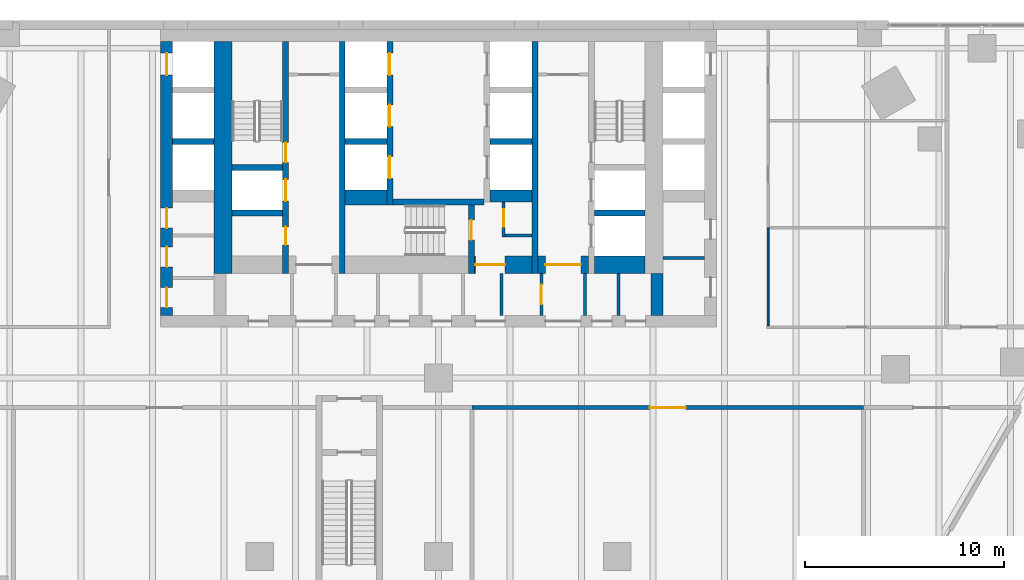
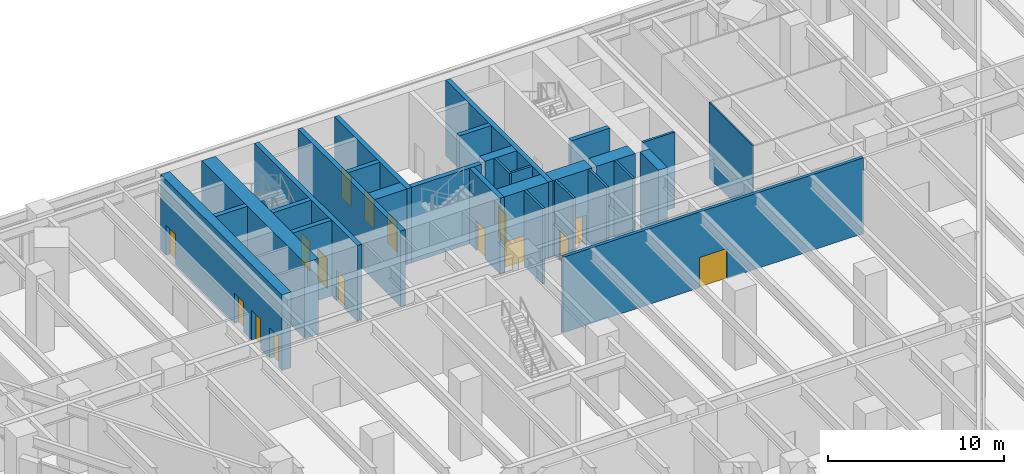
# One storey, part 23 of 30: 29 walls, 16 doors, 16 openings.
"""IFC4 building model written with IfcOpenShell, lengths in metres."""

from ifc_helpers import new_model, si_unit, direction, frame, frame_2d, origin, place, context, subcontext, project, spatial, rectangle, extrude, material, layer, layer_set, type_object, element, fill, save


model = new_model("IFC4")

# Units and contexts
model_context = context("Model", 3, precision=1e-05, world=origin(), true_north=direction((0.0, 1.0)))
body_context = subcontext(model_context, "Body", "Model", "MODEL_VIEW")
ifc_project = project(units=[si_unit("LENGTHUNIT", "METRE"), si_unit("AREAUNIT", "SQUARE_METRE"), si_unit("VOLUMEUNIT", "CUBIC_METRE"), si_unit("PLANEANGLEUNIT", "RADIAN"), si_unit("MASSUNIT", "GRAM", prefix="KILO")], contexts=[model_context])

# Site, building, storey
site_placement = place(None, origin())
site = spatial("IfcSite", under=ifc_project, at=site_placement, CompositionType="ELEMENT")
building_placement = place(site_placement, origin())
building = spatial("IfcBuilding", under=site, at=building_placement, Name="Aloe Facet Convention Tower", CompositionType="ELEMENT")
storey_placement = place(building_placement, frame((0.0, 0.0, 19.5)))
storey = spatial("IfcBuildingStorey", under=building, at=storey_placement, Name="L03", CompositionType="ELEMENT", Elevation=19.5)

# Wall
ifc_material_1 = material(Name="Concrete blockwork partition", Category="masonry")
ifc_layer_1 = layer(ifc_material_1, 0.14990234375)
ifc_layer_set_1 = layer_set([ifc_layer_1], Name="CR-W-PART150")
wall_type_1 = type_object("IfcWallType", Name="CR-W-PART150", PredefinedType="PARTITIONING", material=ifc_layer_set_1)
wall_1_placement = place(storey_placement, frame((83.175048828125, 122.25, 0.0), z_axis=(0.0, 0.0, 1.0), x_axis=(0.0, -1.0, 0.0)))
element("IfcWall", 1, at=wall_1_placement, inside=storey, type_object=wall_type_1, Name="Core partition L03-035", PredefinedType="PARTITIONING", context=body_context, shape_type="SweptSolid", body=[
    extrude(rectangle(XDim=2.10009765625, YDim=0.14990234375, at=frame_2d((1.050048828125, 0.0))), origin(), (0.0, 0.0, 1.0), 5.25),
])

# Wall, opening, door
wall_2_placement = place(storey_placement, frame((83.27490234375, 125.85009765625, 0.0), z_axis=(0.0, 0.0, 1.0), x_axis=(0.0, -1.0, 0.0)))
wall_2 = element("IfcWall", 2, at=wall_2_placement, inside=storey, type_object=wall_type_1, Name="Core partition L03-036", PredefinedType="PARTITIONING", context=body_context, shape_type="SweptSolid", body=[
    extrude(rectangle(XDim=1.75, YDim=0.14990234375, at=frame_2d((0.875, 0.0))), origin(), (0.0, 0.0, 1.0), 5.25),
])
opening_1_placement = place(wall_2_placement, frame((0.35009765625, 0.0, 0.0)))
opening_1 = element("IfcOpeningElement", 3, at=opening_1_placement, cuts=wall_2, Name="Opening L03-CD19", PredefinedType="OPENING", context=body_context, shape_type="SweptSolid", body=[
    extrude(rectangle(XDim=0.89990234375, YDim=2.10009765625, at=frame_2d((0.449951171875, 1.050048828125))), frame((0.0, 0.0849609375, 0.0), z_axis=(0.0, -1.0, 0.0), x_axis=(1.0, 0.0, 0.0)), (0.0, 0.0, 1.0), 0.169921875),
])
ifc_material_2 = material(Name="Steel fire-resisting door set FD60", Category="steel")
door_type_1 = type_object("IfcDoorType", Name="CR-D-REFUGE-900-FD60-SRIGHT", OperationType="SINGLE_SWING_RIGHT", PredefinedType="DOOR", material=ifc_material_2)
door_1_placement = place(opening_1_placement, origin())
door_1 = element("IfcDoor", 4, at=door_1_placement, inside=storey, type_object=door_type_1, Name="Core door L03-CD19", OperationType="SINGLE_SWING_RIGHT", OverallHeight=2.10009765625, OverallWidth=0.89990234375, PredefinedType="DOOR", context=body_context, shape_type="SweptSolid", body=[
    extrude(rectangle(XDim=0.89990234375, YDim=2.10009765625, at=frame_2d((0.449951171875, 1.050048828125))), frame((0.0, 0.02490234375, 0.0), z_axis=(0.0, -1.0, 0.0), x_axis=(1.0, 0.0, 0.0)), (0.0, 0.0, 1.0), 0.050048828125),
])
fill(opening_1, door_1)

# Wall
wall_3_placement = place(storey_placement, frame((83.35009765625, 124.175048828125, 0.0), z_axis=(0.0, 0.0, 1.0), x_axis=(1.0, 0.0, 0.0)))
element("IfcWall", 5, at=wall_3_placement, inside=storey, type_object=wall_type_1, Name="Core partition L03-037", PredefinedType="PARTITIONING", context=body_context, shape_type="SweptSolid", body=[
    extrude(rectangle(XDim=1.349853515625, YDim=0.14990234375, at=frame_2d((0.6748046875, 0.0))), origin(), (0.0, 0.0, 1.0), 5.25),
])

# Wall, opening, door
wall_4_placement = place(storey_placement, frame((85.175048828125, 122.25, 0.0), z_axis=(0.0, 0.0, 1.0), x_axis=(0.0, -1.0, 0.0)))
wall_4 = element("IfcWall", 6, at=wall_4_placement, inside=storey, type_object=wall_type_1, Name="Core partition L03-041", PredefinedType="PARTITIONING", context=body_context, shape_type="SweptSolid", body=[
    extrude(rectangle(XDim=2.10009765625, YDim=0.14990234375, at=frame_2d((1.050048828125, 0.0))), origin(), (0.0, 0.0, 1.0), 5.25),
])
opening_2_placement = place(wall_4_placement, frame((0.550048828125, 0.0, 0.0)))
opening_2 = element("IfcOpeningElement", 7, at=opening_2_placement, cuts=wall_4, Name="Opening L03-CD27", PredefinedType="OPENING", context=body_context, shape_type="SweptSolid", body=[
    extrude(rectangle(XDim=1.0, YDim=2.10009765625, at=frame_2d((0.5, 1.050048828125))), frame((0.0, 0.0849609375, 0.0), z_axis=(0.0, -1.0, 0.0), x_axis=(1.0, 0.0, 0.0)), (0.0, 0.0, 1.0), 0.169921875),
])
ifc_material_3 = material(Name="Steel fire-resisting door set FD60", Category="steel")
door_type_2 = type_object("IfcDoorType", Name="CR-D-ROOM-1000-FD60-SRIGHT", OperationType="SINGLE_SWING_RIGHT", PredefinedType="DOOR", material=ifc_material_3)
door_2_placement = place(opening_2_placement, origin())
door_2 = element("IfcDoor", 8, at=door_2_placement, inside=storey, type_object=door_type_2, Name="Core door L03-CD27", OperationType="SINGLE_SWING_RIGHT", OverallHeight=2.10009765625, OverallWidth=1.0, PredefinedType="DOOR", context=body_context, shape_type="SweptSolid", body=[
    extrude(rectangle(XDim=1.0, YDim=2.10009765625, at=frame_2d((0.5, 1.050048828125))), frame((0.0, 0.02490234375, 0.0), z_axis=(0.0, -1.0, 0.0), x_axis=(1.0, 0.0, 0.0)), (0.0, 0.0, 1.0), 0.050048828125),
])
fill(opening_2, door_2)

# Walls
for number, where, z_axis, x_axis, name in (
    (9, (87.375, 122.25, 0.0), (0.0, 0.0, 1.0), (0.0, -1.0, 0.0), "Core partition L03-042"),
    (10, (89.074951171875, 122.25, 0.0), (0.0, 0.0, 1.0), (0.0, -1.0, 0.0), "Core partition L03-047"),
):
    element("IfcWall", number, at=place(storey_placement, frame(where, z_axis=z_axis, x_axis=x_axis)), inside=storey, type_object=wall_type_1, Name=name, PredefinedType="PARTITIONING", context=body_context, shape_type="SweptSolid", body=[
        extrude(rectangle(XDim=2.10009765625, YDim=0.14990234375, at=frame_2d((1.050048828125, 0.0))), origin(), (0.0, 0.0, 1.0), 5.25),
    ])
wall_5_placement = place(storey_placement, frame((91.300048828125, 123.048583984375, 0.0), z_axis=(0.0, 0.0, 1.0), x_axis=(1.0, 0.0, 0.0)))
element("IfcWall", 11, at=wall_5_placement, inside=storey, type_object=wall_type_1, Name="Core partition L03-053", PredefinedType="PARTITIONING", context=body_context, shape_type="SweptSolid", body=[
    extrude(rectangle(XDim=2.099853515625, YDim=0.14990234375, at=frame_2d((1.0498046875, 0.0))), origin(), (0.0, 0.0, 1.0), 5.25),
])
ifc_material_4 = material(Name="Concrete C80/95", Category="concrete")
ifc_layer_2 = layer(ifc_material_4, 0.300048828125)
ifc_layer_set_2 = layer_set([ifc_layer_2], Name="CR-W-RC300-C8095")
wall_type_2 = type_object("IfcWallType", Name="CR-W-RC300-C8095", PredefinedType="SOLIDWALL", material=ifc_layer_set_2)
wall_6_placement = place(storey_placement, frame((66.60009765625, 128.89990234375, 0.0), z_axis=(0.0, 0.0, 1.0), x_axis=(1.0, 0.0, 0.0)))
element("IfcWall", 12, at=wall_6_placement, inside=storey, type_object=wall_type_2, Name="Core wall L03-005", PredefinedType="SOLIDWALL", context=body_context, shape_type="SweptSolid", body=[
    extrude(rectangle(XDim=2.099853515625, YDim=0.300048828125, at=frame_2d((1.0498046875, 0.0))), origin(), (0.0, 0.0, 1.0), 5.25),
])
for number, where, z_axis, x_axis, name in (
    (13, (69.60009765625, 127.60009765625, 0.0), (0.0, 0.0, 1.0), (1.0, 0.0, 0.0), "Core wall L03-011"),
    (14, (69.60009765625, 125.300048828125, 0.0), (0.0, 0.0, 1.0), (1.0, 0.0, 0.0), "Core wall L03-012"),
):
    element("IfcWall", number, at=place(storey_placement, frame(where, z_axis=z_axis, x_axis=x_axis)), inside=storey, type_object=wall_type_2, Name=name, PredefinedType="SOLIDWALL", context=body_context, shape_type="SweptSolid", body=[
        extrude(rectangle(XDim=2.5498046875, YDim=0.300048828125, at=frame_2d((1.27490234375, 0.0))), origin(), (0.0, 0.0, 1.0), 5.25),
    ])

# Wall, openings, doors
wall_7_placement = place(storey_placement, frame((72.300048828125, 133.949951171875, 0.0), z_axis=(0.0, 0.0, 1.0), x_axis=(0.0, -1.0, 0.0)))
wall_7 = element("IfcWall", 15, at=wall_7_placement, inside=storey, type_object=wall_type_2, Name="Core wall L03-014", PredefinedType="SOLIDWALL", context=body_context, shape_type="SweptSolid", body=[
    extrude(rectangle(XDim=11.699951171875, YDim=0.300048828125, at=frame_2d((5.85009765625, 0.0))), origin(), (0.0, 0.0, 1.0), 5.25),
])
opening_3_placement = place(wall_7_placement, frame((6.949951171875, 0.0, 0.0)))
opening_3 = element("IfcOpeningElement", 16, at=opening_3_placement, cuts=wall_7, Name="Opening LD-FF1-L03", PredefinedType="OPENING", context=body_context, shape_type="SweptSolid", body=[
    extrude(rectangle(XDim=1.10009765625, YDim=2.10009765625, at=frame_2d((0.550048828125, 1.050048828125))), frame((0.0, 0.16015625, 0.0), z_axis=(0.0, -1.0, 0.0), x_axis=(1.0, 0.0, 0.0)), (0.0, 0.0, 1.0), 0.320068359375),
])
opening_4_placement = place(wall_7_placement, frame((9.35009765625, 0.0, 0.0)))
opening_4 = element("IfcOpeningElement", 17, at=opening_4_placement, cuts=wall_7, Name="Opening L03-CD22", PredefinedType="OPENING", context=body_context, shape_type="SweptSolid", body=[
    extrude(rectangle(XDim=0.89990234375, YDim=2.10009765625, at=frame_2d((0.449951171875, 1.050048828125))), frame((0.0, 0.16015625, 0.0), z_axis=(0.0, -1.0, 0.0), x_axis=(1.0, 0.0, 0.0)), (0.0, 0.0, 1.0), 0.320068359375),
])
opening_5_placement = place(wall_7_placement, frame((5.10009765625, 0.0, 0.0)))
opening_5 = element("IfcOpeningElement", 18, at=opening_5_placement, cuts=wall_7, Name="Opening L03-CD30", PredefinedType="OPENING", context=body_context, shape_type="SweptSolid", body=[
    extrude(rectangle(XDim=1.0, YDim=2.10009765625, at=frame_2d((0.5, 1.050048828125))), frame((0.0, 0.16015625, 0.0), z_axis=(0.0, -1.0, 0.0), x_axis=(1.0, 0.0, 0.0)), (0.0, 0.0, 1.0), 0.320068359375),
])
ifc_material_5 = material(Name="Steel fire-resisting door set FD60", Category="steel")
door_type_3 = type_object("IfcDoorType", Name="CR-D-ROOM-900-FD60-SLEFT", OperationType="SINGLE_SWING_LEFT", PredefinedType="DOOR", material=ifc_material_5)
door_3_placement = place(opening_4_placement, origin())
door_3 = element("IfcDoor", 19, at=door_3_placement, inside=storey, type_object=door_type_3, Name="Core door L03-CD22", OperationType="SINGLE_SWING_LEFT", OverallHeight=2.10009765625, OverallWidth=0.89990234375, PredefinedType="DOOR", context=body_context, shape_type="SweptSolid", body=[
    extrude(rectangle(XDim=0.89990234375, YDim=2.10009765625, at=frame_2d((0.449951171875, 1.050048828125))), frame((0.0, 0.02490234375, 0.0), z_axis=(0.0, -1.0, 0.0), x_axis=(1.0, 0.0, 0.0)), (0.0, 0.0, 1.0), 0.050048828125),
])
fill(opening_4, door_3)
ifc_material_6 = material(Name="Steel fire-resisting door set FD120", Category="steel")
door_type_4 = type_object("IfcDoorType", Name="CR-D-STAIR-1000-FD120-SRIGHT", OperationType="SINGLE_SWING_RIGHT", PredefinedType="DOOR", material=ifc_material_6)
door_4_placement = place(opening_5_placement, origin())
door_4 = element("IfcDoor", 20, at=door_4_placement, inside=storey, type_object=door_type_4, Name="Core door L03-CD30", OperationType="SINGLE_SWING_RIGHT", OverallHeight=2.10009765625, OverallWidth=1.0, PredefinedType="DOOR", context=body_context, shape_type="SweptSolid", body=[
    extrude(rectangle(XDim=1.0, YDim=2.10009765625, at=frame_2d((0.5, 1.050048828125))), frame((0.0, 0.02490234375, 0.0), z_axis=(0.0, -1.0, 0.0), x_axis=(1.0, 0.0, 0.0)), (0.0, 0.0, 1.0), 0.050048828125),
])
fill(opening_5, door_4)
ifc_material_7 = material(Name="Stainless steel sliding landing door", Category="steel")
door_type_5 = type_object("IfcDoorType", Name="CR-LD-1100-FD120-_LEFT", OperationType="SLIDING_TO_LEFT", PredefinedType="DOOR", material=ifc_material_7)
door_5_placement = place(opening_3_placement, origin())
door_5 = element("IfcDoor", 21, at=door_5_placement, inside=storey, type_object=door_type_5, Name="Landing door FF1 L03", OperationType="SLIDING_TO_LEFT", OverallHeight=2.10009765625, OverallWidth=1.10009765625, PredefinedType="DOOR", context=body_context, shape_type="SweptSolid", body=[
    extrude(rectangle(XDim=1.10009765625, YDim=2.10009765625, at=frame_2d((0.550048828125, 1.050048828125))), frame((0.0, 0.02490234375, 0.0), z_axis=(0.0, -1.0, 0.0), x_axis=(1.0, 0.0, 0.0)), (0.0, 0.0, 1.0), 0.050048828125),
])
fill(opening_3, door_5)

# Walls
wall_8_placement = place(storey_placement, frame((75.14990234375, 133.949951171875, 0.0), z_axis=(0.0, 0.0, 1.0), x_axis=(0.0, -1.0, 0.0)))
element("IfcWall", 22, at=wall_8_placement, inside=storey, type_object=wall_type_2, Name="Core wall L03-019", PredefinedType="SOLIDWALL", context=body_context, shape_type="SweptSolid", body=[
    extrude(rectangle(XDim=11.699951171875, YDim=0.300048828125, at=frame_2d((5.85009765625, 0.0))), origin(), (0.0, 0.0, 1.0), 5.25),
])
wall_9_placement = place(storey_placement, frame((75.300048828125, 128.89990234375, 0.0), z_axis=(0.0, 0.0, 1.0), x_axis=(1.0, 0.0, 0.0)))
element("IfcWall", 23, at=wall_9_placement, inside=storey, type_object=wall_type_2, Name="Core wall L03-021", PredefinedType="SOLIDWALL", context=body_context, shape_type="SweptSolid", body=[
    extrude(rectangle(XDim=2.099853515625, YDim=0.300048828125, at=frame_2d((1.0498046875, 0.0))), origin(), (0.0, 0.0, 1.0), 5.25),
])

# Wall, openings, doors
wall_10_placement = place(storey_placement, frame((77.550048828125, 133.949951171875, 0.0), z_axis=(0.0, 0.0, 1.0), x_axis=(0.0, -1.0, 0.0)))
wall_10 = element("IfcWall", 24, at=wall_10_placement, inside=storey, type_object=wall_type_2, Name="Core wall L03-025", PredefinedType="SOLIDWALL", context=body_context, shape_type="SweptSolid", body=[
    extrude(rectangle(XDim=8.25, YDim=0.300048828125, at=frame_2d((4.125, 0.0))), origin(), (0.0, 0.0, 1.0), 5.25),
])
opening_6_placement = place(wall_10_placement, frame((0.60009765625, 0.0, 0.0)))
opening_6 = element("IfcOpeningElement", 25, at=opening_6_placement, cuts=wall_10, Name="Opening LD-A1-L03", PredefinedType="OPENING", context=body_context, shape_type="SweptSolid", body=[
    extrude(rectangle(XDim=1.10009765625, YDim=2.10009765625, at=frame_2d((0.550048828125, 1.050048828125))), frame((0.0, 0.16015625, 0.0), z_axis=(0.0, -1.0, 0.0), x_axis=(1.0, 0.0, 0.0)), (0.0, 0.0, 1.0), 0.320068359375),
])
opening_7_placement = place(wall_10_placement, frame((3.199951171875, 0.0, 0.0)))
opening_7 = element("IfcOpeningElement", 26, at=opening_7_placement, cuts=wall_10, Name="Opening LD-A2-L03", PredefinedType="OPENING", context=body_context, shape_type="SweptSolid", body=[
    extrude(rectangle(XDim=1.10009765625, YDim=2.10009765625, at=frame_2d((0.550048828125, 1.050048828125))), frame((0.0, 0.16015625, 0.0), z_axis=(0.0, -1.0, 0.0), x_axis=(1.0, 0.0, 0.0)), (0.0, 0.0, 1.0), 0.320068359375),
])
opening_8_placement = place(wall_10_placement, frame((5.800048828125, 0.0, 0.0)))
opening_8 = element("IfcOpeningElement", 27, at=opening_8_placement, cuts=wall_10, Name="Opening LD-A3-L03", PredefinedType="OPENING", context=body_context, shape_type="SweptSolid", body=[
    extrude(rectangle(XDim=1.10009765625, YDim=2.10009765625, at=frame_2d((0.550048828125, 1.050048828125))), frame((0.0, 0.16015625, 0.0), z_axis=(0.0, -1.0, 0.0), x_axis=(1.0, 0.0, 0.0)), (0.0, 0.0, 1.0), 0.320068359375),
])
ifc_material_8 = material(Name="Stainless steel sliding landing door", Category="steel")
door_type_6 = type_object("IfcDoorType", Name="CR-LD-1100-FD60-RIGHT", OperationType="SLIDING_TO_RIGHT", PredefinedType="DOOR", material=ifc_material_8)
door_6_placement = place(opening_6_placement, origin())
door_6 = element("IfcDoor", 28, at=door_6_placement, inside=storey, type_object=door_type_6, Name="Landing door A1 L03", OperationType="SLIDING_TO_RIGHT", OverallHeight=2.10009765625, OverallWidth=1.10009765625, PredefinedType="DOOR", context=body_context, shape_type="SweptSolid", body=[
    extrude(rectangle(XDim=1.10009765625, YDim=2.10009765625, at=frame_2d((0.550048828125, 1.050048828125))), frame((0.0, 0.02490234375, 0.0), z_axis=(0.0, -1.0, 0.0), x_axis=(1.0, 0.0, 0.0)), (0.0, 0.0, 1.0), 0.050048828125),
])
fill(opening_6, door_6)
door_7_placement = place(opening_7_placement, origin())
door_7 = element("IfcDoor", 29, at=door_7_placement, inside=storey, type_object=door_type_6, Name="Landing door A2 L03", OperationType="SLIDING_TO_RIGHT", OverallHeight=2.10009765625, OverallWidth=1.10009765625, PredefinedType="DOOR", context=body_context, shape_type="SweptSolid", body=[
    extrude(rectangle(XDim=1.10009765625, YDim=2.10009765625, at=frame_2d((0.550048828125, 1.050048828125))), frame((0.0, 0.02490234375, 0.0), z_axis=(0.0, -1.0, 0.0), x_axis=(1.0, 0.0, 0.0)), (0.0, 0.0, 1.0), 0.050048828125),
])
fill(opening_7, door_7)
door_8_placement = place(opening_8_placement, origin())
door_8 = element("IfcDoor", 30, at=door_8_placement, inside=storey, type_object=door_type_6, Name="Landing door A3 L03", OperationType="SLIDING_TO_RIGHT", OverallHeight=2.10009765625, OverallWidth=1.10009765625, PredefinedType="DOOR", context=body_context, shape_type="SweptSolid", body=[
    extrude(rectangle(XDim=1.10009765625, YDim=2.10009765625, at=frame_2d((0.550048828125, 1.050048828125))), frame((0.0, 0.02490234375, 0.0), z_axis=(0.0, -1.0, 0.0), x_axis=(1.0, 0.0, 0.0)), (0.0, 0.0, 1.0), 0.050048828125),
])
fill(opening_8, door_8)

# Wall
wall_11_placement = place(storey_placement, frame((77.699951171875, 125.85009765625, 0.0), z_axis=(0.0, 0.0, 1.0), x_axis=(1.0, 0.0, 0.0)))
element("IfcWall", 31, at=wall_11_placement, inside=storey, type_object=wall_type_2, Name="Core wall L03-026", PredefinedType="SOLIDWALL", context=body_context, shape_type="SweptSolid", body=[
    extrude(rectangle(XDim=4.60009765625, YDim=0.300048828125, at=frame_2d((2.300048828125, 0.0))), origin(), (0.0, 0.0, 1.0), 5.25),
])

# Wall, opening, door
wall_12_placement = place(storey_placement, frame((81.64990234375, 125.699951171875, 0.0), z_axis=(0.0, 0.0, 1.0), x_axis=(0.0, -1.0, 0.0)))
wall_12 = element("IfcWall", 32, at=wall_12_placement, inside=storey, type_object=wall_type_2, Name="Core wall L03-029", PredefinedType="SOLIDWALL", context=body_context, shape_type="SweptSolid", body=[
    extrude(rectangle(XDim=3.449951171875, YDim=0.300048828125, at=frame_2d((1.72509765625, 0.0))), origin(), (0.0, 0.0, 1.0), 5.25),
])
opening_9_placement = place(wall_12_placement, frame((0.75, 0.0, 0.0)))
opening_9 = element("IfcOpeningElement", 33, at=opening_9_placement, cuts=wall_12, Name="Opening L03-CD32", PredefinedType="OPENING", context=body_context, shape_type="SweptSolid", body=[
    extrude(rectangle(XDim=1.0, YDim=2.10009765625, at=frame_2d((0.5, 1.050048828125))), frame((0.0, 0.16015625, 0.0), z_axis=(0.0, -1.0, 0.0), x_axis=(1.0, 0.0, 0.0)), (0.0, 0.0, 1.0), 0.320068359375),
])
ifc_material_9 = material(Name="Steel fire-resisting door set FD120", Category="steel")
door_type_7 = type_object("IfcDoorType", Name="CR-D-STAIR-1000-FD120-SLEFT", OperationType="SINGLE_SWING_LEFT", PredefinedType="DOOR", material=ifc_material_9)
door_9_placement = place(opening_9_placement, origin())
door_9 = element("IfcDoor", 34, at=door_9_placement, inside=storey, type_object=door_type_7, Name="Core door L03-CD32", OperationType="SINGLE_SWING_LEFT", OverallHeight=2.10009765625, OverallWidth=1.0, PredefinedType="DOOR", context=body_context, shape_type="SweptSolid", body=[
    extrude(rectangle(XDim=1.0, YDim=2.10009765625, at=frame_2d((0.5, 1.050048828125))), frame((0.0, 0.02490234375, 0.0), z_axis=(0.0, -1.0, 0.0), x_axis=(1.0, 0.0, 0.0)), (0.0, 0.0, 1.0), 0.050048828125),
])
fill(opening_9, door_9)

# Walls
wall_13_placement = place(storey_placement, frame((82.60009765625, 128.89990234375, 0.0), z_axis=(0.0, 0.0, 1.0), x_axis=(1.0, 0.0, 0.0)))
element("IfcWall", 35, at=wall_13_placement, inside=storey, type_object=wall_type_2, Name="Core wall L03-033", PredefinedType="SOLIDWALL", context=body_context, shape_type="SweptSolid", body=[
    extrude(rectangle(XDim=2.099853515625, YDim=0.300048828125, at=frame_2d((1.0498046875, 0.0))), origin(), (0.0, 0.0, 1.0), 5.25),
])
wall_14_placement = place(storey_placement, frame((84.85009765625, 133.949951171875, 0.0), z_axis=(0.0, 0.0, 1.0), x_axis=(0.0, -1.0, 0.0)))
element("IfcWall", 36, at=wall_14_placement, inside=storey, type_object=wall_type_2, Name="Core wall L03-038", PredefinedType="SOLIDWALL", context=body_context, shape_type="SweptSolid", body=[
    extrude(rectangle(XDim=11.699951171875, YDim=0.300048828125, at=frame_2d((5.85009765625, 0.0))), origin(), (0.0, 0.0, 1.0), 5.25),
])
wall_15_placement = place(storey_placement, frame((87.85009765625, 125.300048828125, 0.0), z_axis=(0.0, 0.0, 1.0), x_axis=(1.0, 0.0, 0.0)))
element("IfcWall", 37, at=wall_15_placement, inside=storey, type_object=wall_type_2, Name="Core wall L03-045", PredefinedType="SOLIDWALL", context=body_context, shape_type="SweptSolid", body=[
    extrude(rectangle(XDim=2.5498046875, YDim=0.300048828125, at=frame_2d((1.27490234375, 0.0))), origin(), (0.0, 0.0, 1.0), 5.25),
])

# Wall, openings, doors
ifc_material_10 = material(Name="Concrete C80/95", Category="concrete")
ifc_layer_3 = layer(ifc_material_10, 0.60009765625)
ifc_layer_set_3 = layer_set([ifc_layer_3], Name="CR-W-RC600-C8095")
wall_type_3 = type_object("IfcWallType", Name="CR-W-RC600-C8095", PredefinedType="SOLIDWALL", material=ifc_layer_set_3)
wall_16_placement = place(storey_placement, frame((66.300048828125, 133.949951171875, 0.0), z_axis=(0.0, 0.0, 1.0), x_axis=(0.0, -1.0, 0.0)))
wall_16 = element("IfcWall", 38, at=wall_16_placement, inside=storey, type_object=wall_type_3, Name="Core wall L03-002", PredefinedType="SOLIDWALL", context=body_context, shape_type="SweptSolid", body=[
    extrude(rectangle(XDim=13.800048828125, YDim=0.60009765625, at=frame_2d((6.89990234375, 0.0))), origin(), (0.0, 0.0, 1.0), 5.25),
])
opening_10_placement = place(wall_16_placement, frame((0.60009765625, 0.0, 0.0)))
opening_10 = element("IfcOpeningElement", 39, at=opening_10_placement, cuts=wall_16, Name="Opening LD-A7-L03", PredefinedType="OPENING", context=body_context, shape_type="SweptSolid", body=[
    extrude(rectangle(XDim=1.10009765625, YDim=2.10009765625, at=frame_2d((0.550048828125, 1.050048828125))), frame((0.0, 0.31005859375, 0.0), z_axis=(0.0, -1.0, 0.0), x_axis=(1.0, 0.0, 0.0)), (0.0, 0.0, 1.0), 0.6201171875),
])
opening_11_placement = place(wall_16_placement, frame((8.4052734375, 0.0, 0.0)))
opening_11 = element("IfcOpeningElement", 40, at=opening_11_placement, cuts=wall_16, Name="Opening L03-CD34", PredefinedType="OPENING", context=body_context, shape_type="SweptSolid", body=[
    extrude(rectangle(XDim=1.0, YDim=2.10009765625, at=frame_2d((0.5, 1.050048828125))), frame((0.0, 0.31005859375, 0.0), z_axis=(0.0, -1.0, 0.0), x_axis=(1.0, 0.0, 0.0)), (0.0, 0.0, 1.0), 0.6201171875),
])
opening_12_placement = place(wall_16_placement, frame((10.355224609375, 0.0, 0.0)))
opening_12 = element("IfcOpeningElement", 41, at=opening_12_placement, cuts=wall_16, Name="Opening L03-CD35", PredefinedType="OPENING", context=body_context, shape_type="SweptSolid", body=[
    extrude(rectangle(XDim=1.0, YDim=2.10009765625, at=frame_2d((0.5, 1.050048828125))), frame((0.0, 0.31005859375, 0.0), z_axis=(0.0, -1.0, 0.0), x_axis=(1.0, 0.0, 0.0)), (0.0, 0.0, 1.0), 0.6201171875),
])
opening_13_placement = place(wall_16_placement, frame((12.39990234375, 0.0, 0.0)))
opening_13 = element("IfcOpeningElement", 42, at=opening_13_placement, cuts=wall_16, Name="Opening L03-CD36", PredefinedType="OPENING", context=body_context, shape_type="SweptSolid", body=[
    extrude(rectangle(XDim=1.0, YDim=2.10009765625, at=frame_2d((0.5, 1.050048828125))), frame((0.0, 0.31005859375, 0.0), z_axis=(0.0, -1.0, 0.0), x_axis=(1.0, 0.0, 0.0)), (0.0, 0.0, 1.0), 0.6201171875),
])
ifc_material_11 = material(Name="Steel fire-resisting door set FD60", Category="steel")
door_type_8 = type_object("IfcDoorType", Name="CR-D-ROOM-1000-FD60-SLEFT", OperationType="SINGLE_SWING_LEFT", PredefinedType="DOOR", material=ifc_material_11)
door_10_placement = place(opening_11_placement, origin())
door_10 = element("IfcDoor", 43, at=door_10_placement, inside=storey, type_object=door_type_8, Name="Core door L03-CD34", OperationType="SINGLE_SWING_LEFT", OverallHeight=2.10009765625, OverallWidth=1.0, PredefinedType="DOOR", context=body_context, shape_type="SweptSolid", body=[
    extrude(rectangle(XDim=1.0, YDim=2.10009765625, at=frame_2d((0.5, 1.050048828125))), frame((0.0, 0.02490234375, 0.0), z_axis=(0.0, -1.0, 0.0), x_axis=(1.0, 0.0, 0.0)), (0.0, 0.0, 1.0), 0.050048828125),
])
fill(opening_11, door_10)
door_11_placement = place(opening_12_placement, origin())
door_11 = element("IfcDoor", 44, at=door_11_placement, inside=storey, type_object=door_type_8, Name="Core door L03-CD35", OperationType="SINGLE_SWING_LEFT", OverallHeight=2.10009765625, OverallWidth=1.0, PredefinedType="DOOR", context=body_context, shape_type="SweptSolid", body=[
    extrude(rectangle(XDim=1.0, YDim=2.10009765625, at=frame_2d((0.5, 1.050048828125))), frame((0.0, 0.02490234375, 0.0), z_axis=(0.0, -1.0, 0.0), x_axis=(1.0, 0.0, 0.0)), (0.0, 0.0, 1.0), 0.050048828125),
])
fill(opening_12, door_11)
door_12_placement = place(opening_13_placement, origin())
door_12 = element("IfcDoor", 45, at=door_12_placement, inside=storey, type_object=door_type_8, Name="Core door L03-CD36", OperationType="SINGLE_SWING_LEFT", OverallHeight=2.10009765625, OverallWidth=1.0, PredefinedType="DOOR", context=body_context, shape_type="SweptSolid", body=[
    extrude(rectangle(XDim=1.0, YDim=2.10009765625, at=frame_2d((0.5, 1.050048828125))), frame((0.0, 0.02490234375, 0.0), z_axis=(0.0, -1.0, 0.0), x_axis=(1.0, 0.0, 0.0)), (0.0, 0.0, 1.0), 0.050048828125),
])
fill(opening_13, door_12)
ifc_material_12 = material(Name="Stainless steel sliding landing door", Category="steel")
door_type_9 = type_object("IfcDoorType", Name="CR-LD-1100-FD60-_LEFT", OperationType="SLIDING_TO_LEFT", PredefinedType="DOOR", material=ifc_material_12)
door_13_placement = place(opening_10_placement, origin())
door_13 = element("IfcDoor", 46, at=door_13_placement, inside=storey, type_object=door_type_9, Name="Landing door A7 L03", OperationType="SLIDING_TO_LEFT", OverallHeight=2.10009765625, OverallWidth=1.10009765625, PredefinedType="DOOR", context=body_context, shape_type="SweptSolid", body=[
    extrude(rectangle(XDim=1.10009765625, YDim=2.10009765625, at=frame_2d((0.550048828125, 1.050048828125))), frame((0.0, 0.02490234375, 0.0), z_axis=(0.0, -1.0, 0.0), x_axis=(1.0, 0.0, 0.0)), (0.0, 0.0, 1.0), 0.050048828125),
])
fill(opening_10, door_13)

# Walls
wall_17_placement = place(storey_placement, frame((82.60009765625, 126.14990234375, 0.0), z_axis=(0.0, 0.0, 1.0), x_axis=(1.0, 0.0, 0.0)))
element("IfcWall", 47, at=wall_17_placement, inside=storey, type_object=wall_type_3, Name="Core wall L03-034", PredefinedType="SOLIDWALL", context=body_context, shape_type="SweptSolid", body=[
    extrude(rectangle(XDim=2.099853515625, YDim=0.60009765625, at=frame_2d((1.0498046875, 0.0))), origin(), (0.0, 0.0, 1.0), 5.25),
])
wall_18_placement = place(storey_placement, frame((91.0, 122.25, 0.0), z_axis=(0.0, 0.0, 1.0), x_axis=(0.0, -1.0, 0.0)))
element("IfcWall", 48, at=wall_18_placement, inside=storey, type_object=wall_type_3, Name="Core wall L03-049", PredefinedType="SOLIDWALL", context=body_context, shape_type="SweptSolid", body=[
    extrude(rectangle(XDim=2.10009765625, YDim=0.60009765625, at=frame_2d((1.050048828125, 0.0))), origin(), (0.0, 0.0, 1.0), 5.25),
])
ifc_material_13 = material(Name="Concrete C80/95", Category="concrete")
ifc_layer_4 = layer(ifc_material_13, 0.75)
ifc_layer_set_4 = layer_set([ifc_layer_4], Name="CR-W-RC750-C8095")
wall_type_4 = type_object("IfcWallType", Name="CR-W-RC750-C8095", PredefinedType="SOLIDWALL", material=ifc_layer_set_4)
wall_19_placement = place(storey_placement, frame((75.300048828125, 126.074951171875, 0.0), z_axis=(0.0, 0.0, 1.0), x_axis=(1.0, 0.0, 0.0)))
element("IfcWall", 49, at=wall_19_placement, inside=storey, type_object=wall_type_4, Name="Core wall L03-022", PredefinedType="SOLIDWALL", context=body_context, shape_type="SweptSolid", body=[
    extrude(rectangle(XDim=2.099853515625, YDim=0.75, at=frame_2d((1.0498046875, 0.0))), origin(), (0.0, 0.0, 1.0), 5.25),
])
ifc_material_14 = material(Name="Concrete C80/95", Category="concrete")
ifc_layer_5 = layer(ifc_material_14, 0.89990234375)
ifc_layer_set_5 = layer_set([ifc_layer_5], Name="CR-W-RC900-C8095")
wall_type_5 = type_object("IfcWallType", Name="CR-W-RC900-C8095", PredefinedType="SOLIDWALL", material=ifc_layer_set_5)
wall_20_placement = place(storey_placement, frame((69.14990234375, 133.949951171875, 0.0), z_axis=(0.0, 0.0, 1.0), x_axis=(0.0, -1.0, 0.0)))
element("IfcWall", 50, at=wall_20_placement, inside=storey, type_object=wall_type_5, Name="Core wall L03-009", PredefinedType="SOLIDWALL", context=body_context, shape_type="SweptSolid", body=[
    extrude(rectangle(XDim=11.699951171875, YDim=0.89990234375, at=frame_2d((5.85009765625, 0.0))), origin(), (0.0, 0.0, 1.0), 5.25),
])

# Wall, opening, door
wall_21_placement = place(storey_placement, frame((81.800048828125, 122.699951171875, 0.0), z_axis=(0.0, 0.0, 1.0), x_axis=(1.0, 0.0, 0.0)))
wall_21 = element("IfcWall", 51, at=wall_21_placement, inside=storey, type_object=wall_type_5, Name="Core wall L03-030", PredefinedType="SOLIDWALL", context=body_context, shape_type="SweptSolid", body=[
    extrude(rectangle(XDim=2.89990234375, YDim=0.89990234375, at=frame_2d((1.449951171875, 0.0))), origin(), (0.0, 0.0, 1.0), 5.25),
])
opening_14_placement = place(wall_21_placement, frame((0.050048828125, 0.0, 0.0)))
opening_14 = element("IfcOpeningElement", 52, at=opening_14_placement, cuts=wall_21, Name="Opening L03-CD15", PredefinedType="OPENING", context=body_context, shape_type="SweptSolid", body=[
    extrude(rectangle(XDim=1.5, YDim=2.10009765625, at=frame_2d((0.75, 1.050048828125))), frame((0.0, 0.4599609375, 0.0), z_axis=(0.0, -1.0, 0.0), x_axis=(1.0, 0.0, 0.0)), (0.0, 0.0, 1.0), 0.919921875),
])
ifc_material_15 = material(Name="Steel fire-resisting door set FD60", Category="steel")
door_type_10 = type_object("IfcDoorType", Name="CR-D-EXIT-1500-FD60-DD", OperationType="DOUBLE_DOOR_DOUBLE_SWING", PredefinedType="DOOR", material=ifc_material_15)
door_14_placement = place(opening_14_placement, origin())
door_14 = element("IfcDoor", 53, at=door_14_placement, inside=storey, type_object=door_type_10, Name="Core door L03-CD15", OperationType="DOUBLE_DOOR_DOUBLE_SWING", OverallHeight=2.10009765625, OverallWidth=1.5, PredefinedType="DOOR", context=body_context, shape_type="SweptSolid", body=[
    extrude(rectangle(XDim=1.5, YDim=2.10009765625, at=frame_2d((0.75, 1.050048828125))), frame((0.0, 0.02490234375, 0.0), z_axis=(0.0, -1.0, 0.0), x_axis=(1.0, 0.0, 0.0)), (0.0, 0.0, 1.0), 0.050048828125),
])
fill(opening_14, door_14)

wall_22_placement = place(storey_placement, frame((85.0, 122.699951171875, 0.0), z_axis=(0.0, 0.0, 1.0), x_axis=(1.0, 0.0, 0.0)))
wall_22 = element("IfcWall", 54, at=wall_22_placement, inside=storey, type_object=wall_type_5, Name="Core wall L03-040", PredefinedType="SOLIDWALL", context=body_context, shape_type="SweptSolid", body=[
    extrude(rectangle(XDim=2.550048828125, YDim=0.89990234375, at=frame_2d((1.27490234375, 0.0))), origin(), (0.0, 0.0, 1.0), 5.25),
])
opening_15_placement = place(wall_22_placement, frame((0.375, 0.0, 0.0)))
opening_15 = element("IfcOpeningElement", 55, at=opening_15_placement, cuts=wall_22, Name="Opening L03-CD13", PredefinedType="OPENING", context=body_context, shape_type="SweptSolid", body=[
    extrude(rectangle(XDim=1.800048828125, YDim=2.10009765625, at=frame_2d((0.89990234375, 1.050048828125))), frame((0.0, 0.4599609375, 0.0), z_axis=(0.0, -1.0, 0.0), x_axis=(1.0, 0.0, 0.0)), (0.0, 0.0, 1.0), 0.919921875),
])
ifc_material_16 = material(Name="Steel fire-resisting door set FD120", Category="steel")
door_type_11 = type_object("IfcDoorType", Name="CR-D-EXIT-1800-FD120-DD", OperationType="DOUBLE_DOOR_DOUBLE_SWING", PredefinedType="DOOR", material=ifc_material_16)
door_15_placement = place(opening_15_placement, origin())
door_15 = element("IfcDoor", 56, at=door_15_placement, inside=storey, type_object=door_type_11, Name="Core door L03-CD13", OperationType="DOUBLE_DOOR_DOUBLE_SWING", OverallHeight=2.10009765625, OverallWidth=1.800048828125, PredefinedType="DOOR", context=body_context, shape_type="SweptSolid", body=[
    extrude(rectangle(XDim=1.800048828125, YDim=2.10009765625, at=frame_2d((0.89990234375, 1.050048828125))), frame((0.0, 0.02490234375, 0.0), z_axis=(0.0, -1.0, 0.0), x_axis=(1.0, 0.0, 0.0)), (0.0, 0.0, 1.0), 0.050048828125),
])
fill(opening_15, door_15)

# Wall
wall_23_placement = place(storey_placement, frame((87.85009765625, 122.699951171875, 0.0), z_axis=(0.0, 0.0, 1.0), x_axis=(1.0, 0.0, 0.0)))
element("IfcWall", 57, at=wall_23_placement, inside=storey, type_object=wall_type_5, Name="Core wall L03-046", PredefinedType="SOLIDWALL", context=body_context, shape_type="SweptSolid", body=[
    extrude(rectangle(XDim=2.5498046875, YDim=0.89990234375, at=frame_2d((1.27490234375, 0.0))), origin(), (0.0, 0.0, 1.0), 5.25),
])

# Wall, opening, door
ifc_material_17 = material(Name="Masonry blockwork wall, plastered", Category="masonry")
ifc_layer_6 = layer(ifc_material_17, 0.199951171875)
ifc_layer_set_6 = layer_set([ifc_layer_6], Name="IN-POD-W-ASSY")
wall_type_6 = type_object("IfcWallType", Name="IN-POD-W-ASSY", PredefinedType="PARTITIONING", material=ifc_layer_set_6)
wall_24_placement = place(storey_placement, frame((81.695556640625, 115.5, 0.0), z_axis=(0.0, 0.0, 1.0), x_axis=(1.0, 0.0, 0.0)))
wall_24 = element("IfcWall", 58, at=wall_24_placement, inside=storey, type_object=wall_type_6, Name="Partition L03-W028", PredefinedType="PARTITIONING", context=body_context, shape_type="SweptSolid", body=[
    extrude(rectangle(XDim=19.704345703125, YDim=0.199951171875, at=frame_2d((9.85205078125, 0.0))), origin(), (0.0, 0.0, 1.0), 5.25),
])
opening_16_placement = place(wall_24_placement, frame((8.9521484375, 0.0, 0.0)))
opening_16 = element("IfcOpeningElement", 59, at=opening_16_placement, cuts=wall_24, Name="Opening L03-012", PredefinedType="OPENING", context=body_context, shape_type="SweptSolid", body=[
    extrude(rectangle(XDim=1.800048828125, YDim=2.10009765625, at=frame_2d((0.89990234375, 1.050048828125))), frame((0.0, 0.10986328125, 0.0), z_axis=(0.0, -1.0, 0.0), x_axis=(1.0, 0.0, 0.0)), (0.0, 0.0, 1.0), 0.219970703125),
])
ifc_material_18 = material(Name="Hardwood flush door pair", Category="wood")
door_type_12 = type_object("IfcDoorType", Name="IN-POD-D-PAIR", OperationType="DOUBLE_DOOR_SINGLE_SWING", PredefinedType="DOOR", material=ifc_material_18)
door_16_placement = place(opening_16_placement, origin())
door_16 = element("IfcDoor", 60, at=door_16_placement, inside=storey, type_object=door_type_12, Name="Door L03-012", OperationType="SINGLE_SWING_LEFT", OverallHeight=2.10009765625, OverallWidth=1.800048828125, PredefinedType="DOOR", context=body_context, shape_type="SweptSolid", body=[
    extrude(rectangle(XDim=1.800048828125, YDim=2.10009765625, at=frame_2d((0.89990234375, 1.050048828125))), frame((0.0, 0.02490234375, 0.0), z_axis=(0.0, -1.0, 0.0), x_axis=(1.0, 0.0, 0.0)), (0.0, 0.0, 1.0), 0.050048828125),
])
fill(opening_16, door_16)

# Wall
ifc_material_19 = material(Name="Gypsum board partition on steel studs, moisture resistant", Category="steel")
ifc_layer_7 = layer(ifc_material_19, 0.10009765625)
ifc_layer_set_7 = layer_set([ifc_layer_7], Name="IN-POD-W-WET")
wall_type_7 = type_object("IfcWallType", Name="IN-POD-W-WET", PredefinedType="PARTITIONING", material=ifc_layer_set_7)
wall_25_placement = place(storey_placement, frame((96.6005859375, 119.625, 0.0), z_axis=(0.0, 0.0, 1.0), x_axis=(-9.9142418e-05, 0.999999995085, 0.0)))
element("IfcWall", 61, at=wall_25_placement, inside=storey, type_object=wall_type_7, Name="Partition L03-W040", PredefinedType="PARTITIONING", context=body_context, shape_type="SweptSolid", body=[
    extrude(rectangle(XDim=4.925048828125, YDim=0.10009765625, at=frame_2d((2.46240234375, 0.0))), origin(), (0.0, 0.0, 1.0), 5.25),
])

save(model, "model.ifc")
